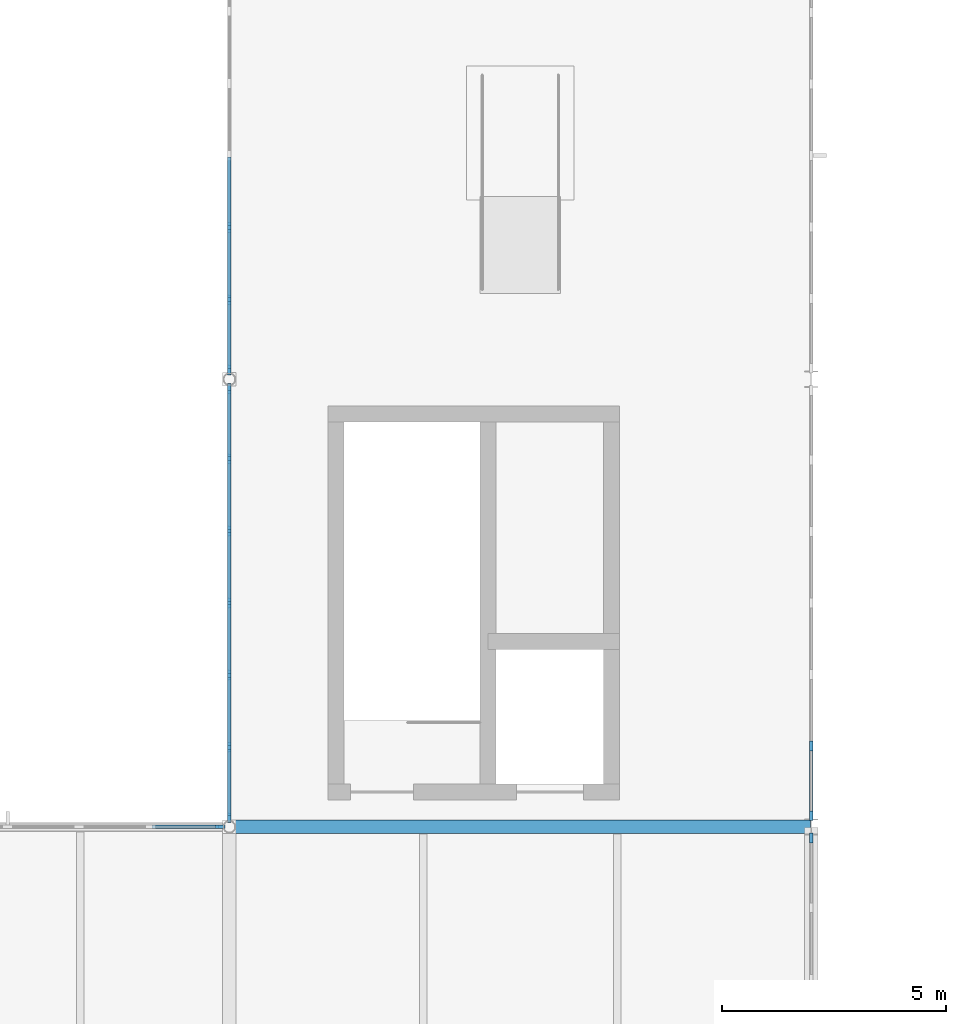
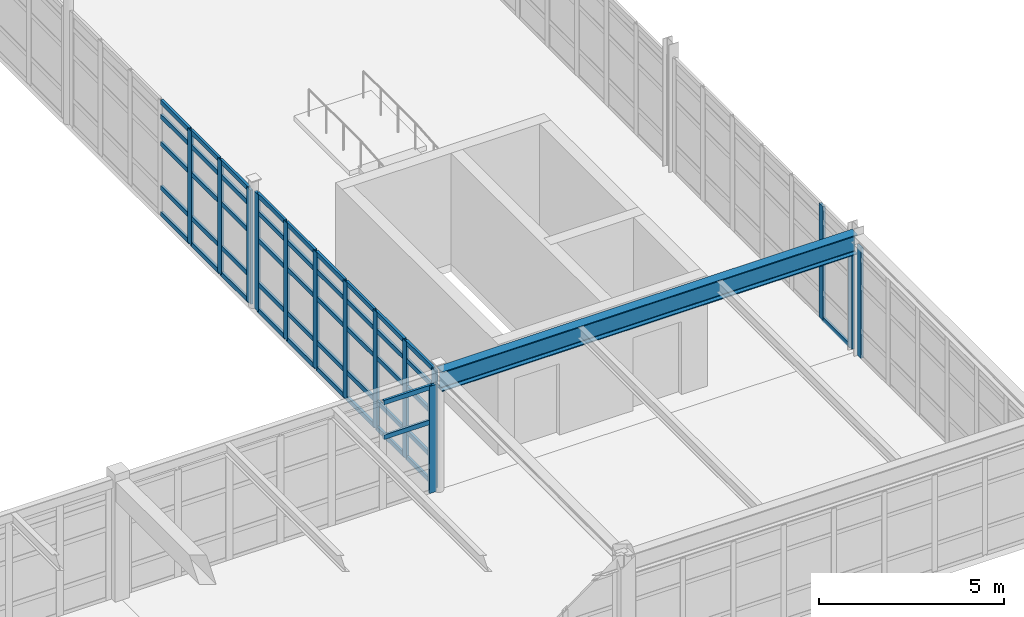
# One storey, part 51 of 122: 62 members, 1 beam, 5 elements without a shape of their own.
"""IFC4 building model written with IfcOpenShell, lengths in metres."""

from ifc_helpers import new_model, si_unit, direction, frame, origin, origin_2d, place, context, subcontext, project, spatial, rectangle, i_section, extrude, material, layer, layer_set, material_profile, profile_set, type_object, element, aggregate, save


model = new_model("IFC4")

# Units and contexts
model_context = context("Model", 3, precision=1e-05, world=origin(), true_north=direction((0.0, 1.0)))
body_context = subcontext(model_context, "Body", "Model", "MODEL_VIEW")
ifc_project = project(units=[si_unit("LENGTHUNIT", "METRE"), si_unit("AREAUNIT", "SQUARE_METRE"), si_unit("VOLUMEUNIT", "CUBIC_METRE"), si_unit("PLANEANGLEUNIT", "RADIAN"), si_unit("MASSUNIT", "GRAM", prefix="KILO"), si_unit("THERMODYNAMICTEMPERATUREUNIT", "KELVIN"), si_unit("POWERUNIT", "WATT")], contexts=[model_context])

# Site, building, storey
site_placement = place(None, origin())
site = spatial("IfcSite", under=ifc_project, at=site_placement, CompositionType="ELEMENT")
building_placement = place(site_placement, origin())
building = spatial("IfcBuilding", under=site, at=building_placement, Name="Korenveer Ferry Terminal", CompositionType="ELEMENT")
storey_placement = place(building_placement, frame((0.0, 0.0, 10.199951171875)))
storey = spatial("IfcBuildingStorey", under=building, at=storey_placement, Name="L02", CompositionType="ELEMENT", Elevation=10.199951171875)

# Curtain wall, member
ifc_material_1 = material(Name="Unitised bronze-and-glass curtain wall", Category="glass")
ifc_layer_1 = layer(ifc_material_1, 0.219970703125)
ifc_layer_set_1 = layer_set([ifc_layer_1], Name="Unitised bronze-and-glass curtain wall")
curtain_wall_type_1 = type_object("IfcCurtainWallType", Name="ENV-CW-97", PredefinedType="USERDEFINED", material=ifc_layer_set_1)
curtain_wall_1_placement = place(storey_placement, frame((30.2548828125, 80.0, 0.0)))
curtain_wall_1 = element("IfcCurtainWall", 1, at=curtain_wall_1_placement, inside=storey, type_object=curtain_wall_type_1, Name="Lancet curtain wall CWX-L02-X30-40-Y80-80", ObjectType="UNITISED CURTAIN WALL", PredefinedType="USERDEFINED")
ifc_material_2 = material(Name="Anodised bronze aluminium", Category="aluminium")
ifc_material_profile_1 = material_profile(ifc_material_2, rectangle(XDim=0.074951171875, YDim=0.219970703125, at=origin_2d()), Name="ALU 75x220")
ifc_profile_set_1 = profile_set([ifc_material_profile_1], Name="Anodised bronze aluminium")
member_type_1 = type_object("IfcMemberType", Name="ENV-CWM-75X220", PredefinedType="MULLION", material=ifc_profile_set_1)
member_1_placement = place(storey_placement, frame((39.7958984375, 80.0, 0.0), z_axis=(0.0, 0.0, 1.0), x_axis=(0.0, 1.0, 0.0)))
member_1 = element("IfcMember", 2, at=member_1_placement, type_object=member_type_1, Name="CW-97 mullion 7", PredefinedType="MULLION", context=body_context, shape_type="SweptSolid", body=[
    extrude(rectangle(XDim=0.074951171875, YDim=0.219970703125, at=origin_2d()), origin(), (0.0, 0.0, 1.0), 3.530029296875),
])

# Curtain wall, members
ifc_layer_2 = layer(ifc_material_1, 0.219970703125)
ifc_layer_set_2 = layer_set([ifc_layer_2], Name="Unitised bronze-and-glass curtain wall")
curtain_wall_type_2 = type_object("IfcCurtainWallType", Name="ENV-CW-110", PredefinedType="USERDEFINED", material=ifc_layer_set_2)
curtain_wall_2_placement = place(storey_placement, frame((40.0, 80.16650390625, 0.0)))
curtain_wall_2 = element("IfcCurtainWall", 3, at=curtain_wall_2_placement, inside=storey, type_object=curtain_wall_type_2, Name="Lancet curtain wall CWX-L02-X40-40-Y80-90", ObjectType="UNITISED CURTAIN WALL", PredefinedType="USERDEFINED")
member_2_placement = place(storey_placement, frame((40.0, 80.2041015625, 0.0), z_axis=(0.0, 0.0, 1.0), x_axis=(-1.0, 0.0, 0.0)))
member_2 = element("IfcMember", 4, at=member_2_placement, type_object=member_type_1, Name="CW-110 mullion 1", PredefinedType="MULLION", context=body_context, shape_type="SweptSolid", body=[
    extrude(rectangle(XDim=0.074951171875, YDim=0.219970703125, at=origin_2d()), origin(), (0.0, 0.0, 1.0), 3.860107421875),
])
member_3_placement = place(storey_placement, frame((40.0, 81.777587890625, 0.0), z_axis=(0.0, 0.0, 1.0), x_axis=(-1.0, 0.0, 0.0)))
member_3 = element("IfcMember", 5, at=member_3_placement, type_object=member_type_1, Name="CW-110 mullion 2", PredefinedType="MULLION", context=body_context, shape_type="SweptSolid", body=[
    extrude(rectangle(XDim=0.074951171875, YDim=0.219970703125, at=origin_2d()), origin(), (0.0, 0.0, 1.0), 3.860107421875),
])
member_4_placement = place(storey_placement, frame((40.0, 83.388916015625, 0.0), z_axis=(0.0, 0.0, 1.0), x_axis=(-1.0, 0.0, 0.0)))
member_4 = element("IfcMember", 6, at=member_4_placement, type_object=member_type_1, Name="CW-110 mullion 3", PredefinedType="MULLION", context=body_context, shape_type="SweptSolid", body=[
    extrude(rectangle(XDim=0.074951171875, YDim=0.219970703125, at=origin_2d()), origin(), (0.0, 0.0, 1.0), 3.860107421875),
])
member_5_placement = place(storey_placement, frame((40.0, 85.0, 0.0), z_axis=(0.0, 0.0, 1.0), x_axis=(-1.0, 0.0, 0.0)))
member_5 = element("IfcMember", 7, at=member_5_placement, type_object=member_type_1, Name="CW-110 mullion 4", PredefinedType="MULLION", context=body_context, shape_type="SweptSolid", body=[
    extrude(rectangle(XDim=0.074951171875, YDim=0.219970703125, at=origin_2d()), origin(), (0.0, 0.0, 1.0), 3.860107421875),
])
member_6_placement = place(storey_placement, frame((40.0, 86.611083984375, 0.0), z_axis=(0.0, 0.0, 1.0), x_axis=(-1.0, 0.0, 0.0)))
member_6 = element("IfcMember", 8, at=member_6_placement, type_object=member_type_1, Name="CW-110 mullion 5", PredefinedType="MULLION", context=body_context, shape_type="SweptSolid", body=[
    extrude(rectangle(XDim=0.074951171875, YDim=0.219970703125, at=origin_2d()), origin(), (0.0, 0.0, 1.0), 3.860107421875),
])
member_7_placement = place(storey_placement, frame((40.0, 88.222412109375, 0.0), z_axis=(0.0, 0.0, 1.0), x_axis=(-1.0, 0.0, 0.0)))
member_7 = element("IfcMember", 9, at=member_7_placement, type_object=member_type_1, Name="CW-110 mullion 6", PredefinedType="MULLION", context=body_context, shape_type="SweptSolid", body=[
    extrude(rectangle(XDim=0.074951171875, YDim=0.219970703125, at=origin_2d()), origin(), (0.0, 0.0, 1.0), 3.860107421875),
])
member_8_placement = place(storey_placement, frame((40.0, 89.7958984375, 0.0), z_axis=(0.0, 0.0, 1.0), x_axis=(-1.0, 0.0, 0.0)))
member_8 = element("IfcMember", 10, at=member_8_placement, type_object=member_type_1, Name="CW-110 mullion 7", PredefinedType="MULLION", context=body_context, shape_type="SweptSolid", body=[
    extrude(rectangle(XDim=0.074951171875, YDim=0.219970703125, at=origin_2d()), origin(), (0.0, 0.0, 1.0), 3.860107421875),
])

ifc_layer_3 = layer(ifc_material_1, 0.219970703125)
ifc_layer_set_3 = layer_set([ifc_layer_3], Name="Unitised bronze-and-glass curtain wall")
curtain_wall_type_3 = type_object("IfcCurtainWallType", Name="ENV-CW-111", PredefinedType="USERDEFINED", material=ifc_layer_set_3)
curtain_wall_3_placement = place(storey_placement, frame((40.0, 90.16650390625, 0.0)))
curtain_wall_3 = element("IfcCurtainWall", 11, at=curtain_wall_3_placement, inside=storey, type_object=curtain_wall_type_3, Name="Lancet curtain wall CWX-L02-X40-40-Y90-100", ObjectType="UNITISED CURTAIN WALL", PredefinedType="USERDEFINED")
member_9_placement = place(storey_placement, frame((40.0, 90.2041015625, 0.0), z_axis=(0.0, 0.0, 1.0), x_axis=(-1.0, 0.0, 0.0)))
member_9 = element("IfcMember", 12, at=member_9_placement, type_object=member_type_1, Name="CW-111 mullion 1", PredefinedType="MULLION", context=body_context, shape_type="SweptSolid", body=[
    extrude(rectangle(XDim=0.074951171875, YDim=0.219970703125, at=origin_2d()), origin(), (0.0, 0.0, 1.0), 3.760009765625),
])
member_10_placement = place(storey_placement, frame((40.0, 91.777587890625, 0.0), z_axis=(0.0, 0.0, 1.0), x_axis=(-1.0, 0.0, 0.0)))
member_10 = element("IfcMember", 13, at=member_10_placement, type_object=member_type_1, Name="CW-111 mullion 2", PredefinedType="MULLION", context=body_context, shape_type="SweptSolid", body=[
    extrude(rectangle(XDim=0.074951171875, YDim=0.219970703125, at=origin_2d()), origin(), (0.0, 0.0, 1.0), 3.760009765625),
])
member_11_placement = place(storey_placement, frame((40.0, 93.388916015625, 0.0), z_axis=(0.0, 0.0, 1.0), x_axis=(-1.0, 0.0, 0.0)))
member_11 = element("IfcMember", 14, at=member_11_placement, type_object=member_type_1, Name="CW-111 mullion 3", PredefinedType="MULLION", context=body_context, shape_type="SweptSolid", body=[
    extrude(rectangle(XDim=0.074951171875, YDim=0.219970703125, at=origin_2d()), origin(), (0.0, 0.0, 1.0), 3.760009765625),
])

# Curtain wall, member
ifc_layer_4 = layer(ifc_material_1, 0.219970703125)
ifc_layer_set_4 = layer_set([ifc_layer_4], Name="Unitised bronze-and-glass curtain wall")
curtain_wall_type_4 = type_object("IfcCurtainWallType", Name="ENV-CW-116", PredefinedType="USERDEFINED", material=ifc_layer_set_4)
curtain_wall_4_placement = place(storey_placement, frame((53.0, 79.7900390625, 0.0)))
curtain_wall_4 = element("IfcCurtainWall", 15, at=curtain_wall_4_placement, inside=storey, type_object=curtain_wall_type_4, Name="Lancet curtain wall CWX-L02-X53-53-Y70-80", ObjectType="UNITISED CURTAIN WALL", PredefinedType="USERDEFINED")
member_12_placement = place(storey_placement, frame((53.0, 79.75244140625, 0.0), z_axis=(0.0, 0.0, 1.0), x_axis=(1.0, 0.0, 0.0)))
member_12 = element("IfcMember", 16, at=member_12_placement, type_object=member_type_1, Name="CW-116 mullion 1", PredefinedType="MULLION", context=body_context, shape_type="SweptSolid", body=[
    extrude(rectangle(XDim=0.074951171875, YDim=0.219970703125, at=origin_2d()), origin(), (0.0, 0.0, 1.0), 3.64013671875),
])
aggregate(curtain_wall_4, [member_12])

# Curtain wall, members
ifc_layer_5 = layer(ifc_material_1, 0.219970703125)
ifc_layer_set_5 = layer_set([ifc_layer_5], Name="Unitised bronze-and-glass curtain wall")
curtain_wall_type_5 = type_object("IfcCurtainWallType", Name="ENV-CW-117", PredefinedType="USERDEFINED", material=ifc_layer_set_5)
curtain_wall_5_placement = place(storey_placement, frame((53.0, 89.7900390625, 0.0)))
curtain_wall_5 = element("IfcCurtainWall", 17, at=curtain_wall_5_placement, inside=storey, type_object=curtain_wall_type_5, Name="Lancet curtain wall CWX-L02-X53-53-Y80-90", ObjectType="UNITISED CURTAIN WALL", PredefinedType="USERDEFINED")
member_13_placement = place(storey_placement, frame((53.0, 81.806640625, 0.0), z_axis=(0.0, 0.0, 1.0), x_axis=(1.0, 0.0, 0.0)))
member_13 = element("IfcMember", 18, at=member_13_placement, type_object=member_type_1, Name="CW-117 mullion 6", PredefinedType="MULLION", context=body_context, shape_type="SweptSolid", body=[
    extrude(rectangle(XDim=0.074951171875, YDim=0.219970703125, at=origin_2d()), origin(), (0.0, 0.0, 1.0), 3.760009765625),
])
member_14_placement = place(storey_placement, frame((53.0, 80.24755859375, 0.0), z_axis=(0.0, 0.0, 1.0), x_axis=(1.0, 0.0, 0.0)))
member_14 = element("IfcMember", 19, at=member_14_placement, type_object=member_type_1, Name="CW-117 mullion 7", PredefinedType="MULLION", context=body_context, shape_type="SweptSolid", body=[
    extrude(rectangle(XDim=0.074951171875, YDim=0.219970703125, at=origin_2d()), origin(), (0.0, 0.0, 1.0), 3.760009765625),
])

# Member
ifc_material_profile_2 = material_profile(ifc_material_2, rectangle(XDim=0.074951171875, YDim=0.14990234375, at=origin_2d()), Name="ALU 75x150")
ifc_profile_set_2 = profile_set([ifc_material_profile_2], Name="Anodised bronze aluminium")
member_type_2 = type_object("IfcMemberType", Name="ENV-CWT-75X150", PredefinedType="USERDEFINED", material=ifc_profile_set_2)
member_15_placement = place(storey_placement, frame((38.274658203125, 80.0, 2.35009765625), z_axis=(1.0, 0.0, 0.0), x_axis=(0.0, 1.0, 0.0)))
member_15 = element("IfcMember", 20, at=member_15_placement, type_object=member_type_2, Name="CW-97 transom 6.3", ObjectType="TRANSOM", PredefinedType="USERDEFINED", context=body_context, shape_type="SweptSolid", body=[
    extrude(rectangle(XDim=0.074951171875, YDim=0.14990234375, at=origin_2d()), origin(), (0.0, 0.0, 1.0), 1.48388671875),
])

member_16_placement = place(storey_placement, frame((38.274658203125, 80.0, 3.492431640625), z_axis=(1.0, 0.0, 0.0), x_axis=(0.0, 1.0, 0.0)))
member_16 = element("IfcMember", 21, at=member_16_placement, type_object=member_type_2, Name="CW-97 transom 6.4", ObjectType="TRANSOM", PredefinedType="USERDEFINED", context=body_context, shape_type="SweptSolid", body=[
    extrude(rectangle(XDim=0.074951171875, YDim=0.14990234375, at=origin_2d()), origin(), (0.0, 0.0, 1.0), 1.48388671875),
])

aggregate(curtain_wall_1, [member_1, member_15, member_16])

member_17_placement = place(storey_placement, frame((40.0, 80.241455078125, 0.03759765625), z_axis=(0.0, 1.0, 0.0), x_axis=(-1.0, 0.0, 0.0)))
member_17 = element("IfcMember", 22, at=member_17_placement, type_object=member_type_2, Name="CW-110 transom 1.1", ObjectType="TRANSOM", PredefinedType="USERDEFINED", context=body_context, shape_type="SweptSolid", body=[
    extrude(rectangle(XDim=0.074951171875, YDim=0.14990234375, at=origin_2d()), origin(), (0.0, 0.0, 1.0), 1.498779296875),
])

member_18_placement = place(storey_placement, frame((40.0, 80.241455078125, 0.900146484375), z_axis=(0.0, 1.0, 0.0), x_axis=(-1.0, 0.0, 0.0)))
member_18 = element("IfcMember", 23, at=member_18_placement, type_object=member_type_2, Name="CW-110 transom 1.2", ObjectType="TRANSOM", PredefinedType="USERDEFINED", context=body_context, shape_type="SweptSolid", body=[
    extrude(rectangle(XDim=0.074951171875, YDim=0.14990234375, at=origin_2d()), origin(), (0.0, 0.0, 1.0), 1.498779296875),
])

member_19_placement = place(storey_placement, frame((40.0, 80.241455078125, 2.35009765625), z_axis=(0.0, 1.0, 0.0), x_axis=(-1.0, 0.0, 0.0)))
member_19 = element("IfcMember", 24, at=member_19_placement, type_object=member_type_2, Name="CW-110 transom 1.3", ObjectType="TRANSOM", PredefinedType="USERDEFINED", context=body_context, shape_type="SweptSolid", body=[
    extrude(rectangle(XDim=0.074951171875, YDim=0.14990234375, at=origin_2d()), origin(), (0.0, 0.0, 1.0), 1.498779296875),
])

member_20_placement = place(storey_placement, frame((40.0, 80.241455078125, 3.25), z_axis=(0.0, 1.0, 0.0), x_axis=(-1.0, 0.0, 0.0)))
member_20 = element("IfcMember", 25, at=member_20_placement, type_object=member_type_2, Name="CW-110 transom 1.4", ObjectType="TRANSOM", PredefinedType="USERDEFINED", context=body_context, shape_type="SweptSolid", body=[
    extrude(rectangle(XDim=0.074951171875, YDim=0.14990234375, at=origin_2d()), origin(), (0.0, 0.0, 1.0), 1.498779296875),
])

member_21_placement = place(storey_placement, frame((40.0, 80.241455078125, 3.822509765625), z_axis=(0.0, 1.0, 0.0), x_axis=(-1.0, 0.0, 0.0)))
member_21 = element("IfcMember", 26, at=member_21_placement, type_object=member_type_2, Name="CW-110 transom 1.5", ObjectType="TRANSOM", PredefinedType="USERDEFINED", context=body_context, shape_type="SweptSolid", body=[
    extrude(rectangle(XDim=0.074951171875, YDim=0.14990234375, at=origin_2d()), origin(), (0.0, 0.0, 1.0), 1.498779296875),
])

member_22_placement = place(storey_placement, frame((40.0, 81.815185546875, 0.03759765625), z_axis=(0.0, 1.0, 0.0), x_axis=(-1.0, 0.0, 0.0)))
member_22 = element("IfcMember", 27, at=member_22_placement, type_object=member_type_2, Name="CW-110 transom 2.1", ObjectType="TRANSOM", PredefinedType="USERDEFINED", context=body_context, shape_type="SweptSolid", body=[
    extrude(rectangle(XDim=0.074951171875, YDim=0.14990234375, at=origin_2d()), origin(), (0.0, 0.0, 1.0), 1.5361328125),
])

member_23_placement = place(storey_placement, frame((40.0, 81.815185546875, 0.900146484375), z_axis=(0.0, 1.0, 0.0), x_axis=(-1.0, 0.0, 0.0)))
member_23 = element("IfcMember", 28, at=member_23_placement, type_object=member_type_2, Name="CW-110 transom 2.2", ObjectType="TRANSOM", PredefinedType="USERDEFINED", context=body_context, shape_type="SweptSolid", body=[
    extrude(rectangle(XDim=0.074951171875, YDim=0.14990234375, at=origin_2d()), origin(), (0.0, 0.0, 1.0), 1.5361328125),
])

member_24_placement = place(storey_placement, frame((40.0, 81.815185546875, 2.35009765625), z_axis=(0.0, 1.0, 0.0), x_axis=(-1.0, 0.0, 0.0)))
member_24 = element("IfcMember", 29, at=member_24_placement, type_object=member_type_2, Name="CW-110 transom 2.3", ObjectType="TRANSOM", PredefinedType="USERDEFINED", context=body_context, shape_type="SweptSolid", body=[
    extrude(rectangle(XDim=0.074951171875, YDim=0.14990234375, at=origin_2d()), origin(), (0.0, 0.0, 1.0), 1.5361328125),
])

member_25_placement = place(storey_placement, frame((40.0, 81.815185546875, 3.25), z_axis=(0.0, 1.0, 0.0), x_axis=(-1.0, 0.0, 0.0)))
member_25 = element("IfcMember", 30, at=member_25_placement, type_object=member_type_2, Name="CW-110 transom 2.4", ObjectType="TRANSOM", PredefinedType="USERDEFINED", context=body_context, shape_type="SweptSolid", body=[
    extrude(rectangle(XDim=0.074951171875, YDim=0.14990234375, at=origin_2d()), origin(), (0.0, 0.0, 1.0), 1.5361328125),
])

member_26_placement = place(storey_placement, frame((40.0, 81.815185546875, 3.822509765625), z_axis=(0.0, 1.0, 0.0), x_axis=(-1.0, 0.0, 0.0)))
member_26 = element("IfcMember", 31, at=member_26_placement, type_object=member_type_2, Name="CW-110 transom 2.5", ObjectType="TRANSOM", PredefinedType="USERDEFINED", context=body_context, shape_type="SweptSolid", body=[
    extrude(rectangle(XDim=0.074951171875, YDim=0.14990234375, at=origin_2d()), origin(), (0.0, 0.0, 1.0), 1.5361328125),
])

member_27_placement = place(storey_placement, frame((40.0, 83.42626953125, 0.03759765625), z_axis=(0.0, 1.0, 0.0), x_axis=(-1.0, 0.0, 0.0)))
member_27 = element("IfcMember", 32, at=member_27_placement, type_object=member_type_2, Name="CW-110 transom 3.1", ObjectType="TRANSOM", PredefinedType="USERDEFINED", context=body_context, shape_type="SweptSolid", body=[
    extrude(rectangle(XDim=0.074951171875, YDim=0.14990234375, at=origin_2d()), origin(), (0.0, 0.0, 1.0), 1.5361328125),
])

member_28_placement = place(storey_placement, frame((40.0, 83.42626953125, 0.900146484375), z_axis=(0.0, 1.0, 0.0), x_axis=(-1.0, 0.0, 0.0)))
member_28 = element("IfcMember", 33, at=member_28_placement, type_object=member_type_2, Name="CW-110 transom 3.2", ObjectType="TRANSOM", PredefinedType="USERDEFINED", context=body_context, shape_type="SweptSolid", body=[
    extrude(rectangle(XDim=0.074951171875, YDim=0.14990234375, at=origin_2d()), origin(), (0.0, 0.0, 1.0), 1.5361328125),
])

member_29_placement = place(storey_placement, frame((40.0, 83.42626953125, 2.35009765625), z_axis=(0.0, 1.0, 0.0), x_axis=(-1.0, 0.0, 0.0)))
member_29 = element("IfcMember", 34, at=member_29_placement, type_object=member_type_2, Name="CW-110 transom 3.3", ObjectType="TRANSOM", PredefinedType="USERDEFINED", context=body_context, shape_type="SweptSolid", body=[
    extrude(rectangle(XDim=0.074951171875, YDim=0.14990234375, at=origin_2d()), origin(), (0.0, 0.0, 1.0), 1.5361328125),
])

member_30_placement = place(storey_placement, frame((40.0, 83.42626953125, 3.25), z_axis=(0.0, 1.0, 0.0), x_axis=(-1.0, 0.0, 0.0)))
member_30 = element("IfcMember", 35, at=member_30_placement, type_object=member_type_2, Name="CW-110 transom 3.4", ObjectType="TRANSOM", PredefinedType="USERDEFINED", context=body_context, shape_type="SweptSolid", body=[
    extrude(rectangle(XDim=0.074951171875, YDim=0.14990234375, at=origin_2d()), origin(), (0.0, 0.0, 1.0), 1.5361328125),
])

member_31_placement = place(storey_placement, frame((40.0, 83.42626953125, 3.822509765625), z_axis=(0.0, 1.0, 0.0), x_axis=(-1.0, 0.0, 0.0)))
member_31 = element("IfcMember", 36, at=member_31_placement, type_object=member_type_2, Name="CW-110 transom 3.5", ObjectType="TRANSOM", PredefinedType="USERDEFINED", context=body_context, shape_type="SweptSolid", body=[
    extrude(rectangle(XDim=0.074951171875, YDim=0.14990234375, at=origin_2d()), origin(), (0.0, 0.0, 1.0), 1.5361328125),
])

member_32_placement = place(storey_placement, frame((40.0, 85.03759765625, 0.03759765625), z_axis=(0.0, 1.0, 0.0), x_axis=(-1.0, 0.0, 0.0)))
member_32 = element("IfcMember", 37, at=member_32_placement, type_object=member_type_2, Name="CW-110 transom 4.1", ObjectType="TRANSOM", PredefinedType="USERDEFINED", context=body_context, shape_type="SweptSolid", body=[
    extrude(rectangle(XDim=0.074951171875, YDim=0.14990234375, at=origin_2d()), origin(), (0.0, 0.0, 1.0), 1.5361328125),
])

member_33_placement = place(storey_placement, frame((40.0, 85.03759765625, 0.900146484375), z_axis=(0.0, 1.0, 0.0), x_axis=(-1.0, 0.0, 0.0)))
member_33 = element("IfcMember", 38, at=member_33_placement, type_object=member_type_2, Name="CW-110 transom 4.2", ObjectType="TRANSOM", PredefinedType="USERDEFINED", context=body_context, shape_type="SweptSolid", body=[
    extrude(rectangle(XDim=0.074951171875, YDim=0.14990234375, at=origin_2d()), origin(), (0.0, 0.0, 1.0), 1.5361328125),
])

member_34_placement = place(storey_placement, frame((40.0, 85.03759765625, 2.35009765625), z_axis=(0.0, 1.0, 0.0), x_axis=(-1.0, 0.0, 0.0)))
member_34 = element("IfcMember", 39, at=member_34_placement, type_object=member_type_2, Name="CW-110 transom 4.3", ObjectType="TRANSOM", PredefinedType="USERDEFINED", context=body_context, shape_type="SweptSolid", body=[
    extrude(rectangle(XDim=0.074951171875, YDim=0.14990234375, at=origin_2d()), origin(), (0.0, 0.0, 1.0), 1.5361328125),
])

member_35_placement = place(storey_placement, frame((40.0, 85.03759765625, 3.25), z_axis=(0.0, 1.0, 0.0), x_axis=(-1.0, 0.0, 0.0)))
member_35 = element("IfcMember", 40, at=member_35_placement, type_object=member_type_2, Name="CW-110 transom 4.4", ObjectType="TRANSOM", PredefinedType="USERDEFINED", context=body_context, shape_type="SweptSolid", body=[
    extrude(rectangle(XDim=0.074951171875, YDim=0.14990234375, at=origin_2d()), origin(), (0.0, 0.0, 1.0), 1.5361328125),
])

member_36_placement = place(storey_placement, frame((40.0, 85.03759765625, 3.822509765625), z_axis=(0.0, 1.0, 0.0), x_axis=(-1.0, 0.0, 0.0)))
member_36 = element("IfcMember", 41, at=member_36_placement, type_object=member_type_2, Name="CW-110 transom 4.5", ObjectType="TRANSOM", PredefinedType="USERDEFINED", context=body_context, shape_type="SweptSolid", body=[
    extrude(rectangle(XDim=0.074951171875, YDim=0.14990234375, at=origin_2d()), origin(), (0.0, 0.0, 1.0), 1.5361328125),
])

member_37_placement = place(storey_placement, frame((40.0, 86.648681640625, 0.03759765625), z_axis=(0.0, 1.0, 0.0), x_axis=(-1.0, 0.0, 0.0)))
member_37 = element("IfcMember", 42, at=member_37_placement, type_object=member_type_2, Name="CW-110 transom 5.1", ObjectType="TRANSOM", PredefinedType="USERDEFINED", context=body_context, shape_type="SweptSolid", body=[
    extrude(rectangle(XDim=0.074951171875, YDim=0.14990234375, at=origin_2d()), origin(), (0.0, 0.0, 1.0), 1.5361328125),
])

member_38_placement = place(storey_placement, frame((40.0, 86.648681640625, 0.900146484375), z_axis=(0.0, 1.0, 0.0), x_axis=(-1.0, 0.0, 0.0)))
member_38 = element("IfcMember", 43, at=member_38_placement, type_object=member_type_2, Name="CW-110 transom 5.2", ObjectType="TRANSOM", PredefinedType="USERDEFINED", context=body_context, shape_type="SweptSolid", body=[
    extrude(rectangle(XDim=0.074951171875, YDim=0.14990234375, at=origin_2d()), origin(), (0.0, 0.0, 1.0), 1.5361328125),
])

member_39_placement = place(storey_placement, frame((40.0, 86.648681640625, 2.35009765625), z_axis=(0.0, 1.0, 0.0), x_axis=(-1.0, 0.0, 0.0)))
member_39 = element("IfcMember", 44, at=member_39_placement, type_object=member_type_2, Name="CW-110 transom 5.3", ObjectType="TRANSOM", PredefinedType="USERDEFINED", context=body_context, shape_type="SweptSolid", body=[
    extrude(rectangle(XDim=0.074951171875, YDim=0.14990234375, at=origin_2d()), origin(), (0.0, 0.0, 1.0), 1.5361328125),
])

member_40_placement = place(storey_placement, frame((40.0, 86.648681640625, 3.25), z_axis=(0.0, 1.0, 0.0), x_axis=(-1.0, 0.0, 0.0)))
member_40 = element("IfcMember", 45, at=member_40_placement, type_object=member_type_2, Name="CW-110 transom 5.4", ObjectType="TRANSOM", PredefinedType="USERDEFINED", context=body_context, shape_type="SweptSolid", body=[
    extrude(rectangle(XDim=0.074951171875, YDim=0.14990234375, at=origin_2d()), origin(), (0.0, 0.0, 1.0), 1.5361328125),
])

member_41_placement = place(storey_placement, frame((40.0, 86.648681640625, 3.822509765625), z_axis=(0.0, 1.0, 0.0), x_axis=(-1.0, 0.0, 0.0)))
member_41 = element("IfcMember", 46, at=member_41_placement, type_object=member_type_2, Name="CW-110 transom 5.5", ObjectType="TRANSOM", PredefinedType="USERDEFINED", context=body_context, shape_type="SweptSolid", body=[
    extrude(rectangle(XDim=0.074951171875, YDim=0.14990234375, at=origin_2d()), origin(), (0.0, 0.0, 1.0), 1.5361328125),
])

member_42_placement = place(storey_placement, frame((40.0, 88.259765625, 0.03759765625), z_axis=(0.0, 1.0, 0.0), x_axis=(-1.0, 0.0, 0.0)))
member_42 = element("IfcMember", 47, at=member_42_placement, type_object=member_type_2, Name="CW-110 transom 6.1", ObjectType="TRANSOM", PredefinedType="USERDEFINED", context=body_context, shape_type="SweptSolid", body=[
    extrude(rectangle(XDim=0.074951171875, YDim=0.14990234375, at=origin_2d()), origin(), (0.0, 0.0, 1.0), 1.498779296875),
])

member_43_placement = place(storey_placement, frame((40.0, 88.259765625, 0.900146484375), z_axis=(0.0, 1.0, 0.0), x_axis=(-1.0, 0.0, 0.0)))
member_43 = element("IfcMember", 48, at=member_43_placement, type_object=member_type_2, Name="CW-110 transom 6.2", ObjectType="TRANSOM", PredefinedType="USERDEFINED", context=body_context, shape_type="SweptSolid", body=[
    extrude(rectangle(XDim=0.074951171875, YDim=0.14990234375, at=origin_2d()), origin(), (0.0, 0.0, 1.0), 1.498779296875),
])

member_44_placement = place(storey_placement, frame((40.0, 88.259765625, 2.35009765625), z_axis=(0.0, 1.0, 0.0), x_axis=(-1.0, 0.0, 0.0)))
member_44 = element("IfcMember", 49, at=member_44_placement, type_object=member_type_2, Name="CW-110 transom 6.3", ObjectType="TRANSOM", PredefinedType="USERDEFINED", context=body_context, shape_type="SweptSolid", body=[
    extrude(rectangle(XDim=0.074951171875, YDim=0.14990234375, at=origin_2d()), origin(), (0.0, 0.0, 1.0), 1.498779296875),
])

member_45_placement = place(storey_placement, frame((40.0, 88.259765625, 3.25), z_axis=(0.0, 1.0, 0.0), x_axis=(-1.0, 0.0, 0.0)))
member_45 = element("IfcMember", 50, at=member_45_placement, type_object=member_type_2, Name="CW-110 transom 6.4", ObjectType="TRANSOM", PredefinedType="USERDEFINED", context=body_context, shape_type="SweptSolid", body=[
    extrude(rectangle(XDim=0.074951171875, YDim=0.14990234375, at=origin_2d()), origin(), (0.0, 0.0, 1.0), 1.498779296875),
])

member_46_placement = place(storey_placement, frame((40.0, 88.259765625, 3.822509765625), z_axis=(0.0, 1.0, 0.0), x_axis=(-1.0, 0.0, 0.0)))
member_46 = element("IfcMember", 51, at=member_46_placement, type_object=member_type_2, Name="CW-110 transom 6.5", ObjectType="TRANSOM", PredefinedType="USERDEFINED", context=body_context, shape_type="SweptSolid", body=[
    extrude(rectangle(XDim=0.074951171875, YDim=0.14990234375, at=origin_2d()), origin(), (0.0, 0.0, 1.0), 1.498779296875),
])

aggregate(curtain_wall_2, [member_2, member_3, member_4, member_5, member_6, member_7, member_8, member_17, member_18, member_19, member_20, member_21, member_22, member_23, member_24, member_25, member_26, member_27, member_28, member_29, member_30, member_31, member_32, member_33, member_34, member_35, member_36, member_37, member_38, member_39, member_40, member_41, member_42, member_43, member_44, member_45, member_46])

member_47_placement = place(storey_placement, frame((40.0, 90.241455078125, 0.03759765625), z_axis=(0.0, 1.0, 0.0), x_axis=(-1.0, 0.0, 0.0)))
member_47 = element("IfcMember", 52, at=member_47_placement, type_object=member_type_2, Name="CW-111 transom 1.1", ObjectType="TRANSOM", PredefinedType="USERDEFINED", context=body_context, shape_type="SweptSolid", body=[
    extrude(rectangle(XDim=0.074951171875, YDim=0.14990234375, at=origin_2d()), origin(), (0.0, 0.0, 1.0), 1.498779296875),
])

member_48_placement = place(storey_placement, frame((40.0, 90.241455078125, 0.900146484375), z_axis=(0.0, 1.0, 0.0), x_axis=(-1.0, 0.0, 0.0)))
member_48 = element("IfcMember", 53, at=member_48_placement, type_object=member_type_2, Name="CW-111 transom 1.2", ObjectType="TRANSOM", PredefinedType="USERDEFINED", context=body_context, shape_type="SweptSolid", body=[
    extrude(rectangle(XDim=0.074951171875, YDim=0.14990234375, at=origin_2d()), origin(), (0.0, 0.0, 1.0), 1.498779296875),
])

member_49_placement = place(storey_placement, frame((40.0, 90.241455078125, 2.35009765625), z_axis=(0.0, 1.0, 0.0), x_axis=(-1.0, 0.0, 0.0)))
member_49 = element("IfcMember", 54, at=member_49_placement, type_object=member_type_2, Name="CW-111 transom 1.3", ObjectType="TRANSOM", PredefinedType="USERDEFINED", context=body_context, shape_type="SweptSolid", body=[
    extrude(rectangle(XDim=0.074951171875, YDim=0.14990234375, at=origin_2d()), origin(), (0.0, 0.0, 1.0), 1.498779296875),
])

member_50_placement = place(storey_placement, frame((40.0, 90.241455078125, 3.25), z_axis=(0.0, 1.0, 0.0), x_axis=(-1.0, 0.0, 0.0)))
member_50 = element("IfcMember", 55, at=member_50_placement, type_object=member_type_2, Name="CW-111 transom 1.4", ObjectType="TRANSOM", PredefinedType="USERDEFINED", context=body_context, shape_type="SweptSolid", body=[
    extrude(rectangle(XDim=0.074951171875, YDim=0.14990234375, at=origin_2d()), origin(), (0.0, 0.0, 1.0), 1.498779296875),
])

member_51_placement = place(storey_placement, frame((40.0, 90.241455078125, 3.72265625), z_axis=(0.0, 1.0, 0.0), x_axis=(-1.0, 0.0, 0.0)))
member_51 = element("IfcMember", 56, at=member_51_placement, type_object=member_type_2, Name="CW-111 transom 1.5", ObjectType="TRANSOM", PredefinedType="USERDEFINED", context=body_context, shape_type="SweptSolid", body=[
    extrude(rectangle(XDim=0.074951171875, YDim=0.14990234375, at=origin_2d()), origin(), (0.0, 0.0, 1.0), 1.498779296875),
])

member_52_placement = place(storey_placement, frame((40.0, 91.815185546875, 0.03759765625), z_axis=(0.0, 1.0, 0.0), x_axis=(-1.0, 0.0, 0.0)))
member_52 = element("IfcMember", 57, at=member_52_placement, type_object=member_type_2, Name="CW-111 transom 2.1", ObjectType="TRANSOM", PredefinedType="USERDEFINED", context=body_context, shape_type="SweptSolid", body=[
    extrude(rectangle(XDim=0.074951171875, YDim=0.14990234375, at=origin_2d()), origin(), (0.0, 0.0, 1.0), 1.5361328125),
])

member_53_placement = place(storey_placement, frame((40.0, 91.815185546875, 0.900146484375), z_axis=(0.0, 1.0, 0.0), x_axis=(-1.0, 0.0, 0.0)))
member_53 = element("IfcMember", 58, at=member_53_placement, type_object=member_type_2, Name="CW-111 transom 2.2", ObjectType="TRANSOM", PredefinedType="USERDEFINED", context=body_context, shape_type="SweptSolid", body=[
    extrude(rectangle(XDim=0.074951171875, YDim=0.14990234375, at=origin_2d()), origin(), (0.0, 0.0, 1.0), 1.5361328125),
])

member_54_placement = place(storey_placement, frame((40.0, 91.815185546875, 2.35009765625), z_axis=(0.0, 1.0, 0.0), x_axis=(-1.0, 0.0, 0.0)))
member_54 = element("IfcMember", 59, at=member_54_placement, type_object=member_type_2, Name="CW-111 transom 2.3", ObjectType="TRANSOM", PredefinedType="USERDEFINED", context=body_context, shape_type="SweptSolid", body=[
    extrude(rectangle(XDim=0.074951171875, YDim=0.14990234375, at=origin_2d()), origin(), (0.0, 0.0, 1.0), 1.5361328125),
])

member_55_placement = place(storey_placement, frame((40.0, 91.815185546875, 3.25), z_axis=(0.0, 1.0, 0.0), x_axis=(-1.0, 0.0, 0.0)))
member_55 = element("IfcMember", 60, at=member_55_placement, type_object=member_type_2, Name="CW-111 transom 2.4", ObjectType="TRANSOM", PredefinedType="USERDEFINED", context=body_context, shape_type="SweptSolid", body=[
    extrude(rectangle(XDim=0.074951171875, YDim=0.14990234375, at=origin_2d()), origin(), (0.0, 0.0, 1.0), 1.5361328125),
])

member_56_placement = place(storey_placement, frame((40.0, 91.815185546875, 3.72265625), z_axis=(0.0, 1.0, 0.0), x_axis=(-1.0, 0.0, 0.0)))
member_56 = element("IfcMember", 61, at=member_56_placement, type_object=member_type_2, Name="CW-111 transom 2.5", ObjectType="TRANSOM", PredefinedType="USERDEFINED", context=body_context, shape_type="SweptSolid", body=[
    extrude(rectangle(XDim=0.074951171875, YDim=0.14990234375, at=origin_2d()), origin(), (0.0, 0.0, 1.0), 1.5361328125),
])

member_57_placement = place(storey_placement, frame((40.0, 93.42626953125, 0.03759765625), z_axis=(0.0, 1.0, 0.0), x_axis=(-1.0, 0.0, 0.0)))
member_57 = element("IfcMember", 62, at=member_57_placement, type_object=member_type_2, Name="CW-111 transom 3.1", ObjectType="TRANSOM", PredefinedType="USERDEFINED", context=body_context, shape_type="SweptSolid", body=[
    extrude(rectangle(XDim=0.074951171875, YDim=0.14990234375, at=origin_2d()), origin(), (0.0, 0.0, 1.0), 1.5361328125),
])

member_58_placement = place(storey_placement, frame((40.0, 93.42626953125, 0.900146484375), z_axis=(0.0, 1.0, 0.0), x_axis=(-1.0, 0.0, 0.0)))
member_58 = element("IfcMember", 63, at=member_58_placement, type_object=member_type_2, Name="CW-111 transom 3.2", ObjectType="TRANSOM", PredefinedType="USERDEFINED", context=body_context, shape_type="SweptSolid", body=[
    extrude(rectangle(XDim=0.074951171875, YDim=0.14990234375, at=origin_2d()), origin(), (0.0, 0.0, 1.0), 1.5361328125),
])

member_59_placement = place(storey_placement, frame((40.0, 93.42626953125, 2.35009765625), z_axis=(0.0, 1.0, 0.0), x_axis=(-1.0, 0.0, 0.0)))
member_59 = element("IfcMember", 64, at=member_59_placement, type_object=member_type_2, Name="CW-111 transom 3.3", ObjectType="TRANSOM", PredefinedType="USERDEFINED", context=body_context, shape_type="SweptSolid", body=[
    extrude(rectangle(XDim=0.074951171875, YDim=0.14990234375, at=origin_2d()), origin(), (0.0, 0.0, 1.0), 1.5361328125),
])

member_60_placement = place(storey_placement, frame((40.0, 93.42626953125, 3.25), z_axis=(0.0, 1.0, 0.0), x_axis=(-1.0, 0.0, 0.0)))
member_60 = element("IfcMember", 65, at=member_60_placement, type_object=member_type_2, Name="CW-111 transom 3.4", ObjectType="TRANSOM", PredefinedType="USERDEFINED", context=body_context, shape_type="SweptSolid", body=[
    extrude(rectangle(XDim=0.074951171875, YDim=0.14990234375, at=origin_2d()), origin(), (0.0, 0.0, 1.0), 1.5361328125),
])

member_61_placement = place(storey_placement, frame((40.0, 93.42626953125, 3.72265625), z_axis=(0.0, 1.0, 0.0), x_axis=(-1.0, 0.0, 0.0)))
member_61 = element("IfcMember", 66, at=member_61_placement, type_object=member_type_2, Name="CW-111 transom 3.5", ObjectType="TRANSOM", PredefinedType="USERDEFINED", context=body_context, shape_type="SweptSolid", body=[
    extrude(rectangle(XDim=0.074951171875, YDim=0.14990234375, at=origin_2d()), origin(), (0.0, 0.0, 1.0), 1.5361328125),
])

aggregate(curtain_wall_3, [member_9, member_10, member_11, member_47, member_48, member_49, member_50, member_51, member_52, member_53, member_54, member_55, member_56, member_57, member_58, member_59, member_60, member_61])

member_62_placement = place(storey_placement, frame((53.0, 81.769287109375, 0.03759765625), z_axis=(0.0, -1.0, 0.0), x_axis=(1.0, 0.0, 0.0)))
member_62 = element("IfcMember", 67, at=member_62_placement, type_object=member_type_2, Name="CW-117 transom 6.1", ObjectType="TRANSOM", PredefinedType="USERDEFINED", context=body_context, shape_type="SweptSolid", body=[
    extrude(rectangle(XDim=0.074951171875, YDim=0.14990234375, at=origin_2d()), origin(), (0.0, 0.0, 1.0), 1.484375),
])

aggregate(curtain_wall_5, [member_13, member_14, member_62])

# Beam
ifc_material_3 = material(Name="Steel S355", Category="steel")
ifc_material_profile_3 = material_profile(ifc_material_3, i_section(OverallWidth=0.300048828125, OverallDepth=0.64990234375, WebThickness=0.01611328125, FlangeThickness=0.031005859375, FilletRadius=0.027099609375, at=origin_2d()), Name="HEB 650")
ifc_profile_set_3 = profile_set([ifc_material_profile_3], Name="Steel S355")
beam_type = type_object("IfcBeamType", Name="STR-BM-HEB650", PredefinedType="BEAM", material=ifc_profile_set_3)
beam_placement = place(storey_placement, frame((40.02001953125, 80.0, 3.635009765625), z_axis=(1.0, 0.0, 0.0), x_axis=(0.0, 1.0, 0.0)))
element("IfcBeam", 68, at=beam_placement, inside=storey, type_object=beam_type, Name="Primary X girder BMX-L03-X40-53-Y80", PredefinedType="BEAM", context=body_context, shape_type="SweptSolid", body=[
    extrude(i_section(OverallWidth=0.300048828125, OverallDepth=0.64990234375, WebThickness=0.01611328125, FlangeThickness=0.031005859375, FilletRadius=0.027099609375, at=origin_2d()), origin(), (0.0, 0.0, 1.0), 12.9599609375),
])

save(model, "model.ifc")
